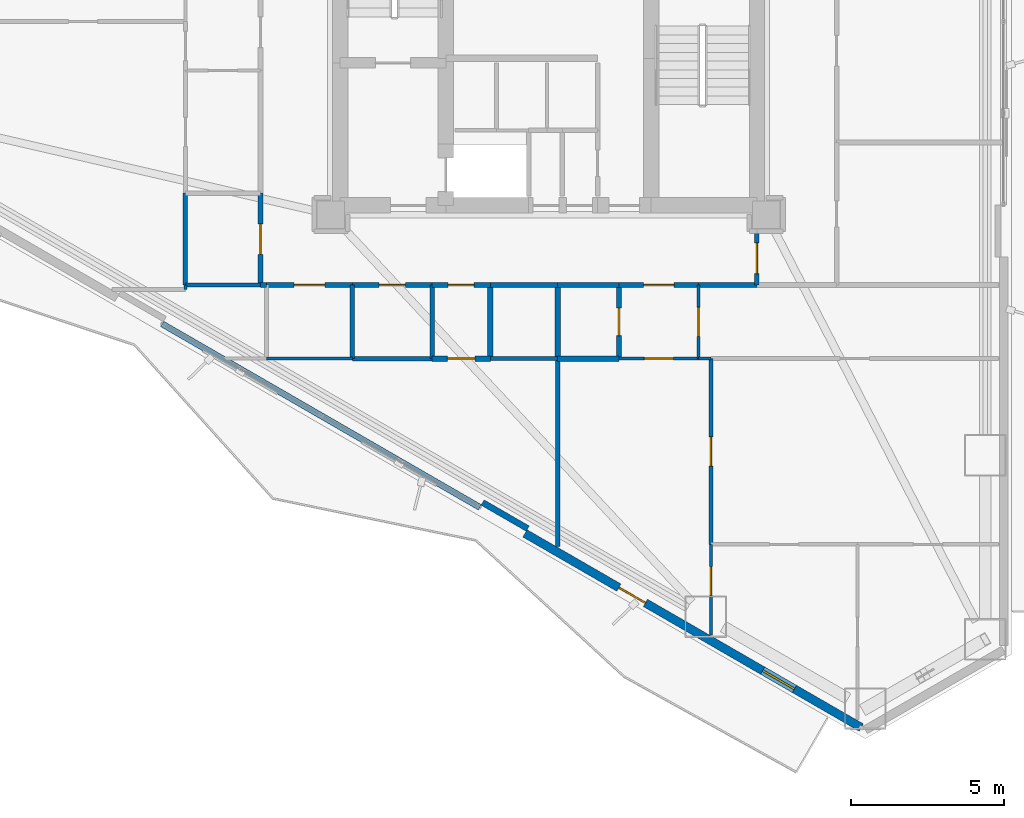
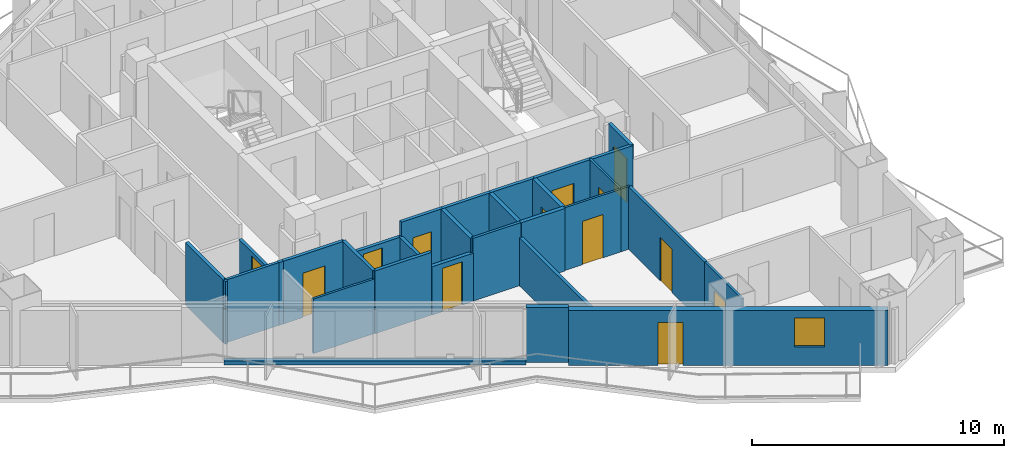
# One storey, part 12 of 19: 32 walls, 13 doors, 1 window, 14 openings.
"""IFC4 building model written with IfcOpenShell, lengths in metres."""

from ifc_helpers import new_model, si_unit, direction, frame, frame_2d, origin, place, context, subcontext, project, spatial, rectangle, extrude, material, layer, layer_set, type_object, element, fill, save


model = new_model("IFC4")

# Units and contexts
model_context = context("Model", 3, precision=1e-05, world=origin(), true_north=direction((0.0, 1.0)))
body_context = subcontext(model_context, "Body", "Model", "MODEL_VIEW")
ifc_project = project(units=[si_unit("LENGTHUNIT", "METRE"), si_unit("AREAUNIT", "SQUARE_METRE"), si_unit("VOLUMEUNIT", "CUBIC_METRE"), si_unit("PLANEANGLEUNIT", "RADIAN"), si_unit("MASSUNIT", "GRAM", prefix="KILO")], contexts=[model_context])

# Site, building, storey
site_placement = place(None, origin())
site = spatial("IfcSite", under=ifc_project, at=site_placement, CompositionType="ELEMENT")
building_placement = place(site_placement, origin())
building = spatial("IfcBuilding", under=site, at=building_placement, Name="Mersakhor Tower and Convention Hall", CompositionType="ELEMENT")
storey_placement = place(building_placement, frame((0.0, 0.0, 42.300048828125)))
storey = spatial("IfcBuildingStorey", under=building, at=storey_placement, Name="L11", CompositionType="ELEMENT", Elevation=42.300048828125)

# Wall, openings, door, window
ifc_material_1 = material(Name="Precast concrete C45/55", Category="concrete")
ifc_layer_1 = layer(ifc_material_1, 0.27490234375)
ifc_layer_set_1 = layer_set([ifc_layer_1], Name="Precast concrete C45/55")
wall_type_1 = type_object("IfcWallType", Name="WL-EXT-275", PredefinedType="SOLIDWALL", material=ifc_layer_set_1)
wall_1_placement = place(storey_placement, frame((39.20703125, 3.709716796875, 0.0), z_axis=(0.0, 0.0, 1.0), x_axis=(-0.86603192154, 0.499988710747, 0.0)))
wall_1 = element("IfcWall", 1, at=wall_1_placement, inside=storey, type_object=wall_type_1, Name="L11 Exterior Facade Wall F3-B1", PredefinedType="SOLIDWALL", context=body_context, shape_type="SweptSolid", body=[
    extrude(rectangle(XDim=12.673095703125, YDim=0.27490234375, at=frame_2d((6.33642578125, 0.0))), origin(), (0.0, 0.0, 1.0), 2.659912109375),
])
opening_1_placement = place(wall_1_placement, frame((8.135986328125, 0.0, 0.0)))
opening_1 = element("IfcOpeningElement", 2, at=opening_1_placement, cuts=wall_1, Name="Opening BD-01", PredefinedType="OPENING", context=body_context, shape_type="SweptSolid", body=[
    extrude(rectangle(XDim=1.0, YDim=2.10009765625, at=frame_2d((0.5, 1.050048828125))), frame((0.0, 0.1474609375, 0.0), z_axis=(0.0, -1.0, 0.0), x_axis=(1.0, 0.0, 0.0)), (0.0, 0.0, 1.0), 0.294921875),
])
opening_2_placement = place(wall_1_placement, frame((2.51806640625, 0.0, 0.89990234375)))
opening_2 = element("IfcOpeningElement", 3, at=opening_2_placement, cuts=wall_1, Name="Opening W-01", PredefinedType="OPENING", context=body_context, shape_type="SweptSolid", body=[
    extrude(rectangle(XDim=1.199951171875, YDim=1.39990234375, at=frame_2d((0.60009765625, 0.699951171875))), frame((0.0, 0.1474609375, 0.0), z_axis=(0.0, -1.0, 0.0), x_axis=(1.0, 0.0, 0.0)), (0.0, 0.0, 1.0), 0.294921875),
])
ifc_material_2 = material(Name="Thermally broken dark aluminium and safety glass", Category="aluminium")
door_type_1 = type_object("IfcDoorType", Name="DR-BAL-100x210", OperationType="NOTDEFINED", PredefinedType="DOOR", material=ifc_material_2)
door_1_placement = place(opening_1_placement, origin())
door_1 = element("IfcDoor", 4, at=door_1_placement, inside=storey, type_object=door_type_1, Name="L11 Balcony Terrace Door F3-B1", OperationType="SINGLE_SWING_LEFT", OverallHeight=2.10009765625, OverallWidth=1.0, PredefinedType="DOOR", context=body_context, shape_type="SweptSolid", body=[
    extrude(rectangle(XDim=1.0, YDim=2.10009765625, at=frame_2d((0.5, 1.050048828125))), frame((0.0, 0.02490234375, 0.0), z_axis=(0.0, -1.0, 0.0), x_axis=(1.0, 0.0, 0.0)), (0.0, 0.0, 1.0), 0.050048828125),
])
fill(opening_1, door_1)
ifc_material_3 = material(Name="Dark solar low-E glazed aluminium window", Category="aluminium")
window_type = type_object("IfcWindowType", Name="WN-RES-120x150", PartitioningType="SINGLE_PANEL", PredefinedType="WINDOW", material=ifc_material_3)
window_placement = place(opening_2_placement, origin())
window = element("IfcWindow", 5, at=window_placement, inside=storey, type_object=window_type, Name="L11 Bedroom Facade Window F3-B1-1", OverallHeight=1.39990234375, OverallWidth=1.199951171875, PartitioningType="SINGLE_PANEL", PredefinedType="WINDOW", context=body_context, shape_type="SweptSolid", body=[
    extrude(rectangle(XDim=1.199951171875, YDim=1.39990234375, at=frame_2d((0.60009765625, 0.699951171875))), frame((0.0, 0.030029296875, 0.0), z_axis=(0.0, -1.0, 0.0), x_axis=(1.0, 0.0, 0.0)), (0.0, 0.0, 1.0), 0.06005859375),
])
fill(opening_2, window)

# Walls
ifc_material_4 = material(Name="Precast concrete C40/50", Category="concrete")
ifc_layer_2 = layer(ifc_material_4, 0.199951171875)
ifc_layer_set_2 = layer_set([ifc_layer_2], Name="Precast concrete C40/50")
wall_type_2 = type_object("IfcWallType", Name="WL-PAR-200", PredefinedType="PARAPET", material=ifc_layer_set_2)
wall_2_placement = place(storey_placement, frame((26.759521484375, 10.896240234375, 0.0), z_axis=(0.0, 0.0, 1.0), x_axis=(-0.866027351828, 0.499996625875, 0.0)))
element("IfcWall", 6, at=wall_2_placement, inside=storey, type_object=wall_type_2, Name="L11 Curtain Wall Upstand Sill F3-B2", PredefinedType="PARAPET", context=body_context, shape_type="SweptSolid", body=[
    extrude(rectangle(XDim=11.97314453125, YDim=0.199951171875, at=frame_2d((5.986572265625, 0.0))), origin(), (0.0, 0.0, 1.0), 0.199951171875),
])
wall_3_placement = place(storey_placement, frame((28.32177734375, 10.2021484375, 0.0), z_axis=(0.0, 0.0, 1.0), x_axis=(-0.86605165483, 0.499954529098, 0.0)))
element("IfcWall", 7, at=wall_3_placement, inside=storey, type_object=wall_type_2, Name="L11 Column Pier Cladding Wall F3-C1", PredefinedType="PARAPET", context=body_context, shape_type="SweptSolid", body=[
    extrude(rectangle(XDim=1.699951171875, YDim=0.199951171875, at=frame_2d((0.85009765625, 0.0))), origin(), (0.0, 0.0, 1.0), 2.659912109375),
])

# Wall, opening, door
ifc_material_5 = material(Name="Moisture-resistant acoustic drywall studwork", Category="other")
ifc_layer_3 = layer(ifc_material_5, 0.175048828125)
ifc_layer_set_3 = layer_set([ifc_layer_3], Name="Moisture-resistant acoustic drywall studwork")
wall_type_3 = type_object("IfcWallType", Name="WL-PLM-175", PredefinedType="PLUMBINGWALL", material=ifc_layer_set_3)
wall_4_placement = place(storey_placement, frame((31.300048828125, 15.75, 0.0), z_axis=(0.0, 0.0, 1.0), x_axis=(0.0, 1.0, 0.0)))
wall_4 = element("IfcWall", 8, at=wall_4_placement, inside=storey, type_object=wall_type_3, Name="L11 Interior Partition Wall P-073", PredefinedType="PLUMBINGWALL", context=body_context, shape_type="SweptSolid", body=[
    extrude(rectangle(XDim=2.39990234375, YDim=0.175048828125, at=frame_2d((1.199951171875, 0.0))), origin(), (0.0, 0.0, 1.0), 3.0400390625),
])
opening_3_placement = place(wall_4_placement, frame((0.75, 0.0, 0.0)))
opening_3 = element("IfcOpeningElement", 9, at=opening_3_placement, cuts=wall_4, Name="Opening WD-01", PredefinedType="OPENING", context=body_context, shape_type="SweptSolid", body=[
    extrude(rectangle(XDim=0.89990234375, YDim=2.10009765625, at=frame_2d((0.449951171875, 1.050048828125))), frame((0.0, 0.097412109375, 0.0), z_axis=(0.0, -1.0, 0.0), x_axis=(1.0, 0.0, 0.0)), (0.0, 0.0, 1.0), 0.195068359375),
])
ifc_material_6 = material(Name="Solid-core hardwood leaf in painted steel frame", Category="steel")
door_type_2 = type_object("IfcDoorType", Name="DR-INT-WET-090x210", OperationType="NOTDEFINED", PredefinedType="DOOR", material=ifc_material_6)
door_2_placement = place(opening_3_placement, origin())
door_2 = element("IfcDoor", 10, at=door_2_placement, inside=storey, type_object=door_type_2, Name="L11 L11 Flat S4 Apartment Hall to L11 Flat S4 Bathroom Door", OperationType="SINGLE_SWING_RIGHT", OverallHeight=2.10009765625, OverallWidth=0.89990234375, PredefinedType="DOOR", context=body_context, shape_type="SweptSolid", body=[
    extrude(rectangle(XDim=0.89990234375, YDim=2.10009765625, at=frame_2d((0.449951171875, 1.050048828125))), frame((0.0, 0.02490234375, 0.0), z_axis=(0.0, -1.0, 0.0), x_axis=(1.0, 0.0, 0.0)), (0.0, 0.0, 1.0), 0.050048828125),
])
fill(opening_3, door_2)

wall_5_placement = place(storey_placement, frame((27.10009765625, 15.75, 0.0), z_axis=(0.0, 0.0, 1.0), x_axis=(-1.0, 0.0, 0.0)))
wall_5 = element("IfcWall", 11, at=wall_5_placement, inside=storey, type_object=wall_type_3, Name="L11 Interior Partition Wall P-087", PredefinedType="PLUMBINGWALL", context=body_context, shape_type="SweptSolid", body=[
    extrude(rectangle(XDim=1.900146484375, YDim=0.175048828125, at=frame_2d((0.9501953125, 0.0))), origin(), (0.0, 0.0, 1.0), 2.33740234375),
])
opening_4_placement = place(wall_5_placement, frame((0.5, 0.0, 0.0)))
opening_4 = element("IfcOpeningElement", 12, at=opening_4_placement, cuts=wall_5, Name="Opening WD-01", PredefinedType="OPENING", context=body_context, shape_type="SweptSolid", body=[
    extrude(rectangle(XDim=0.89990234375, YDim=2.10009765625, at=frame_2d((0.449951171875, 1.050048828125))), frame((0.0, 0.097412109375, 0.0), z_axis=(0.0, -1.0, 0.0), x_axis=(1.0, 0.0, 0.0)), (0.0, 0.0, 1.0), 0.195068359375),
])
door_3_placement = place(opening_4_placement, origin())
door_3 = element("IfcDoor", 13, at=door_3_placement, inside=storey, type_object=door_type_2, Name="L11 L11 Floor Shared Restroom WC 3-2 to L11 Floor Residents Study Room 3-4 Door", OperationType="SINGLE_SWING_LEFT", OverallHeight=2.10009765625, OverallWidth=0.89990234375, PredefinedType="DOOR", context=body_context, shape_type="SweptSolid", body=[
    extrude(rectangle(XDim=0.89990234375, YDim=2.10009765625, at=frame_2d((0.449951171875, 1.050048828125))), frame((0.0, 0.02490234375, 0.0), z_axis=(0.0, -1.0, 0.0), x_axis=(1.0, 0.0, 0.0)), (0.0, 0.0, 1.0), 0.050048828125),
])
fill(opening_4, door_3)

# Walls
wall_6_placement = place(storey_placement, frame((27.10009765625, 18.14990234375, 0.0), z_axis=(0.0, 0.0, 1.0), x_axis=(0.0, -1.0, 0.0)))
element("IfcWall", 14, at=wall_6_placement, inside=storey, type_object=wall_type_3, Name="L11 Interior Partition Wall P-089", PredefinedType="PLUMBINGWALL", context=body_context, shape_type="SweptSolid", body=[
    extrude(rectangle(XDim=2.39990234375, YDim=0.175048828125, at=frame_2d((1.199951171875, 0.0))), origin(), (0.0, 0.0, 1.0), 3.0400390625),
])
wall_7_placement = place(storey_placement, frame((31.300048828125, 15.75, 0.0), z_axis=(0.0, 0.0, 1.0), x_axis=(-1.0, 0.0, 0.0)))
element("IfcWall", 15, at=wall_7_placement, inside=storey, type_object=wall_type_3, Name="L11 Interior Partition Wall P-090", PredefinedType="PLUMBINGWALL", context=body_context, shape_type="SweptSolid", body=[
    extrude(rectangle(XDim=2.0, YDim=0.175048828125, at=frame_2d((1.0, 0.0))), origin(), (0.0, 0.0, 1.0), 3.0400390625),
])
wall_8_placement = place(storey_placement, frame((29.300048828125, 15.75, 0.0), z_axis=(0.0, 0.0, 1.0), x_axis=(0.0, 1.0, 0.0)))
element("IfcWall", 16, at=wall_8_placement, inside=storey, type_object=wall_type_3, Name="L11 Interior Partition Wall P-091", PredefinedType="PLUMBINGWALL", context=body_context, shape_type="SweptSolid", body=[
    extrude(rectangle(XDim=2.39990234375, YDim=0.175048828125, at=frame_2d((1.199951171875, 0.0))), origin(), (0.0, 0.0, 1.0), 3.0400390625),
])

# Wall, opening, door
ifc_material_7 = material(Name="Lightweight gypsum partition", Category="other")
ifc_layer_4 = layer(ifc_material_7, 0.10009765625)
ifc_layer_set_4 = layer_set([ifc_layer_4], Name="Lightweight gypsum partition")
wall_type_4 = type_object("IfcWallType", Name="WL-PRT-100", PredefinedType="PARTITIONING", material=ifc_layer_set_4)
wall_9_placement = place(storey_placement, frame((33.89990234375, 15.75, 0.0), z_axis=(0.0, 0.0, 1.0), x_axis=(-1.0, 0.0, 0.0)))
wall_9 = element("IfcWall", 17, at=wall_9_placement, inside=storey, type_object=wall_type_4, Name="L11 Interior Partition Wall P-072", PredefinedType="PARTITIONING", context=body_context, shape_type="SweptSolid", body=[
    extrude(rectangle(XDim=2.599853515625, YDim=0.10009765625, at=frame_2d((1.2998046875, 0.0))), origin(), (0.0, 0.0, 1.0), 3.0400390625),
])
opening_5_placement = place(wall_9_placement, frame((0.824951171875, 0.0, 0.0)))
opening_5 = element("IfcOpeningElement", 18, at=opening_5_placement, cuts=wall_9, Name="Opening RD-01", PredefinedType="OPENING", context=body_context, shape_type="SweptSolid", body=[
    extrude(rectangle(XDim=0.949951171875, YDim=2.10009765625, at=frame_2d((0.47509765625, 1.050048828125))), frame((0.0, 0.06005859375, 0.0), z_axis=(0.0, -1.0, 0.0), x_axis=(1.0, 0.0, 0.0)), (0.0, 0.0, 1.0), 0.1201171875),
])
ifc_material_8 = material(Name="Solid-core hardwood leaf in painted steel frame", Category="steel")
door_type_3 = type_object("IfcDoorType", Name="DR-INT-RM-095x210", OperationType="NOTDEFINED", PredefinedType="DOOR", material=ifc_material_8)
door_4_placement = place(opening_5_placement, origin())
door_4 = element("IfcDoor", 19, at=door_4_placement, inside=storey, type_object=door_type_3, Name="L11 L11 Flat S4 Apartment Hall to L11 Flat S4 Living and Dining Room Door", OperationType="SINGLE_SWING_RIGHT", OverallHeight=2.10009765625, OverallWidth=0.949951171875, PredefinedType="DOOR", context=body_context, shape_type="SweptSolid", body=[
    extrude(rectangle(XDim=0.949951171875, YDim=2.10009765625, at=frame_2d((0.47509765625, 1.050048828125))), frame((0.0, 0.02490234375, 0.0), z_axis=(0.0, -1.0, 0.0), x_axis=(1.0, 0.0, 0.0)), (0.0, 0.0, 1.0), 0.050048828125),
])
fill(opening_5, door_4)

wall_10_placement = place(storey_placement, frame((33.89990234375, 18.14990234375, 0.0), z_axis=(0.0, 0.0, 1.0), x_axis=(0.0, -1.0, 0.0)))
wall_10 = element("IfcWall", 20, at=wall_10_placement, inside=storey, type_object=wall_type_4, Name="L11 Interior Partition Wall P-074", PredefinedType="PARTITIONING", context=body_context, shape_type="SweptSolid", body=[
    extrude(rectangle(XDim=2.39990234375, YDim=0.10009765625, at=frame_2d((1.199951171875, 0.0))), origin(), (0.0, 0.0, 1.0), 3.0400390625),
])
opening_6_placement = place(wall_10_placement, frame((0.72509765625, 0.0, 0.0)))
opening_6 = element("IfcOpeningElement", 21, at=opening_6_placement, cuts=wall_10, Name="Opening RD-01", PredefinedType="OPENING", context=body_context, shape_type="SweptSolid", body=[
    extrude(rectangle(XDim=0.949951171875, YDim=2.10009765625, at=frame_2d((0.47509765625, 1.050048828125))), frame((0.0, 0.06005859375, 0.0), z_axis=(0.0, -1.0, 0.0), x_axis=(1.0, 0.0, 0.0)), (0.0, 0.0, 1.0), 0.1201171875),
])
door_5_placement = place(opening_6_placement, origin())
door_5 = element("IfcDoor", 22, at=door_5_placement, inside=storey, type_object=door_type_3, Name="L11 L11 Flat S4 Apartment Hall to L11 Flat S4 Kitchen Door", OperationType="SINGLE_SWING_LEFT", OverallHeight=2.10009765625, OverallWidth=0.949951171875, PredefinedType="DOOR", context=body_context, shape_type="SweptSolid", body=[
    extrude(rectangle(XDim=0.949951171875, YDim=2.10009765625, at=frame_2d((0.47509765625, 1.050048828125))), frame((0.0, 0.02490234375, 0.0), z_axis=(0.0, -1.0, 0.0), x_axis=(1.0, 0.0, 0.0)), (0.0, 0.0, 1.0), 0.050048828125),
])
fill(opening_6, door_5)

# Walls
wall_11_placement = place(storey_placement, frame((34.300048828125, 15.75, 0.0), z_axis=(0.0, 0.0, 1.0), x_axis=(-1.0, 0.0, 0.0)))
element("IfcWall", 23, at=wall_11_placement, inside=storey, type_object=wall_type_4, Name="L11 Interior Partition Wall P-094", PredefinedType="PARTITIONING", context=body_context, shape_type="SweptSolid", body=[
    extrude(rectangle(XDim=0.400146484375, YDim=0.10009765625, at=frame_2d((0.2001953125, 0.0))), origin(), (0.0, 0.0, 1.0), 3.0400390625),
])
wall_12_placement = place(storey_placement, frame((22.60009765625, 15.75, 0.0), z_axis=(0.0, 0.0, 1.0), x_axis=(-1.0, 0.0, 0.0)))
element("IfcWall", 24, at=wall_12_placement, inside=storey, type_object=wall_type_4, Name="L11 Interior Partition Wall P-112", PredefinedType="PARTITIONING", context=body_context, shape_type="SweptSolid", body=[
    extrude(rectangle(XDim=2.800048828125, YDim=0.10009765625, at=frame_2d((1.39990234375, 0.0))), origin(), (0.0, 0.0, 1.0), 2.650390625),
])

# Wall, opening, door
wall_13_placement = place(storey_placement, frame((34.300048828125, 9.68994140625, 0.0), z_axis=(0.0, 0.0, 1.0), x_axis=(0.0, -1.0, 0.0)))
wall_13 = element("IfcWall", 25, at=wall_13_placement, inside=storey, type_object=wall_type_4, Name="L11 Interior Partition Wall P-118", PredefinedType="PARTITIONING", context=body_context, shape_type="SweptSolid", body=[
    extrude(rectangle(XDim=2.960693359375, YDim=0.10009765625, at=frame_2d((1.48046875, 0.0))), origin(), (0.0, 0.0, 1.0), 3.0400390625),
])
opening_7_placement = place(wall_13_placement, frame((0.727783203125, 0.0, 0.0)))
opening_7 = element("IfcOpeningElement", 26, at=opening_7_placement, cuts=wall_13, Name="Opening RD-01", PredefinedType="OPENING", context=body_context, shape_type="SweptSolid", body=[
    extrude(rectangle(XDim=0.949951171875, YDim=2.10009765625, at=frame_2d((0.47509765625, 1.050048828125))), frame((0.0, 0.06005859375, 0.0), z_axis=(0.0, -1.0, 0.0), x_axis=(1.0, 0.0, 0.0)), (0.0, 0.0, 1.0), 0.1201171875),
])
door_6_placement = place(opening_7_placement, origin())
door_6 = element("IfcDoor", 27, at=door_6_placement, inside=storey, type_object=door_type_3, Name="L11 L11 Flat S4 Living and Dining Room to L11 Flat S4 Bedroom 1 Door", OperationType="SINGLE_SWING_RIGHT", OverallHeight=2.10009765625, OverallWidth=0.949951171875, PredefinedType="DOOR", context=body_context, shape_type="SweptSolid", body=[
    extrude(rectangle(XDim=0.949951171875, YDim=2.10009765625, at=frame_2d((0.47509765625, 1.050048828125))), frame((0.0, 0.02490234375, 0.0), z_axis=(0.0, -1.0, 0.0), x_axis=(1.0, 0.0, 0.0)), (0.0, 0.0, 1.0), 0.050048828125),
])
fill(opening_7, door_6)

# Walls
wall_14_placement = place(storey_placement, frame((17.14990234375, 18.14990234375, 0.0), z_axis=(0.0, 0.0, 1.0), x_axis=(0.0, -1.0, 0.0)))
element("IfcWall", 28, at=wall_14_placement, inside=storey, type_object=wall_type_4, Name="L11 Interior Partition Wall P-130", PredefinedType="PARTITIONING", context=body_context, shape_type="SweptSolid", body=[
    extrude(rectangle(XDim=0.14990234375, YDim=0.10009765625, at=frame_2d((0.074951171875, 0.0))), origin(), (0.0, 0.0, 1.0), 3.0400390625),
])
ifc_material_9 = material(Name="Gypsum board acoustic partition", Category="other")
ifc_layer_5 = layer(ifc_material_9, 0.125)
ifc_layer_set_5 = layer_set([ifc_layer_5], Name="Gypsum board acoustic partition")
wall_type_5 = type_object("IfcWallType", Name="WL-PRT-125", PredefinedType="PARTITIONING", material=ifc_layer_set_5)
wall_15_placement = place(storey_placement, frame((19.60009765625, 18.14990234375, 0.0), z_axis=(0.0, 0.0, 1.0), x_axis=(-1.0, 0.0, 0.0)))
element("IfcWall", 29, at=wall_15_placement, inside=storey, type_object=wall_type_5, Name="L11 Interior Partition Wall P-105", PredefinedType="PARTITIONING", context=body_context, shape_type="SweptSolid", body=[
    extrude(rectangle(XDim=2.4501953125, YDim=0.125, at=frame_2d((1.22509765625, 0.0))), origin(), (0.0, 0.0, 1.0), 3.0400390625),
])
wall_16_placement = place(storey_placement, frame((27.10009765625, 15.75, 0.0), z_axis=(0.0, 0.0, 1.0), x_axis=(1.0, 0.0, 0.0)))
element("IfcWall", 30, at=wall_16_placement, inside=storey, type_object=wall_type_5, Name="L11 Interior Partition Wall P-115", PredefinedType="PARTITIONING", context=body_context, shape_type="SweptSolid", body=[
    extrude(rectangle(XDim=2.199951171875, YDim=0.125, at=frame_2d((1.10009765625, 0.0))), origin(), (0.0, 0.0, 1.0), 3.0400390625),
])

# Wall, opening, door
wall_17_placement = place(storey_placement, frame((34.300048828125, 15.75, 0.0), z_axis=(0.0, 0.0, 1.0), x_axis=(0.0, -1.0, 0.0)))
wall_17 = element("IfcWall", 31, at=wall_17_placement, inside=storey, type_object=wall_type_5, Name="L11 Interior Partition Wall P-117", PredefinedType="PARTITIONING", context=body_context, shape_type="SweptSolid", body=[
    extrude(rectangle(XDim=6.06005859375, YDim=0.125, at=frame_2d((3.030029296875, 0.0))), origin(), (0.0, 0.0, 1.0), 3.0400390625),
])
opening_8_placement = place(wall_17_placement, frame((2.554931640625, 0.0, 0.0)))
opening_8 = element("IfcOpeningElement", 32, at=opening_8_placement, cuts=wall_17, Name="Opening RD-01", PredefinedType="OPENING", context=body_context, shape_type="SweptSolid", body=[
    extrude(rectangle(XDim=0.949951171875, YDim=2.10009765625, at=frame_2d((0.47509765625, 1.050048828125))), frame((0.0, 0.072509765625, 0.0), z_axis=(0.0, -1.0, 0.0), x_axis=(1.0, 0.0, 0.0)), (0.0, 0.0, 1.0), 0.14501953125),
])
door_7_placement = place(opening_8_placement, origin())
door_7 = element("IfcDoor", 33, at=door_7_placement, inside=storey, type_object=door_type_3, Name="L11 L11 Flat S4 Living and Dining Room to L11 Flat S4 Dining Room Door", OperationType="SINGLE_SWING_LEFT", OverallHeight=2.10009765625, OverallWidth=0.949951171875, PredefinedType="DOOR", context=body_context, shape_type="SweptSolid", body=[
    extrude(rectangle(XDim=0.949951171875, YDim=2.10009765625, at=frame_2d((0.47509765625, 1.050048828125))), frame((0.0, 0.02490234375, 0.0), z_axis=(0.0, -1.0, 0.0), x_axis=(1.0, 0.0, 0.0)), (0.0, 0.0, 1.0), 0.050048828125),
])
fill(opening_8, door_7)

ifc_material_10 = material(Name="Fire-rated gypsum board stud partition", Category="other")
ifc_layer_6 = layer(ifc_material_10, 0.14990234375)
ifc_layer_set_6 = layer_set([ifc_layer_6], Name="Fire-rated gypsum board stud partition")
wall_type_6 = type_object("IfcWallType", Name="WL-PRT-150", PredefinedType="PARTITIONING", material=ifc_layer_set_6)
wall_18_placement = place(storey_placement, frame((35.800048828125, 19.89990234375, 0.0), z_axis=(0.0, 0.0, 1.0), x_axis=(0.0, -1.0, 0.0)))
wall_18 = element("IfcWall", 34, at=wall_18_placement, inside=storey, type_object=wall_type_6, Name="L11 Interior Partition Wall P-023", PredefinedType="PARTITIONING", context=body_context, shape_type="SweptSolid", body=[
    extrude(rectangle(XDim=1.75, YDim=0.14990234375, at=frame_2d((0.875, 0.0))), origin(), (0.0, 0.0, 1.0), 3.0400390625),
])
opening_9_placement = place(wall_18_placement, frame((0.375, 0.0, 0.0)))
opening_9 = element("IfcOpeningElement", 35, at=opening_9_placement, cuts=wall_18, Name="Opening FD-01", PredefinedType="OPENING", context=body_context, shape_type="SweptSolid", body=[
    extrude(rectangle(XDim=1.0, YDim=2.14990234375, at=frame_2d((0.5, 1.074951171875))), frame((0.0, 0.0849609375, 0.0), z_axis=(0.0, -1.0, 0.0), x_axis=(1.0, 0.0, 0.0)), (0.0, 0.0, 1.0), 0.169921875),
])
ifc_material_11 = material(Name="Fire-rated hardwood leaf and painted steel frame", Category="steel")
door_type_4 = type_object("IfcDoorType", Name="DR-INT-FLT-100x215", OperationType="NOTDEFINED", PredefinedType="DOOR", material=ifc_material_11)
door_8_placement = place(opening_9_placement, origin())
door_8 = element("IfcDoor", 36, at=door_8_placement, inside=storey, type_object=door_type_4, Name="L11 Ring Corridor Fire Door", OperationType="SINGLE_SWING_RIGHT", OverallHeight=2.14990234375, OverallWidth=1.0, PredefinedType="DOOR", context=body_context, shape_type="SweptSolid", body=[
    extrude(rectangle(XDim=1.0, YDim=2.14990234375, at=frame_2d((0.5, 1.074951171875))), frame((0.0, 0.02490234375, 0.0), z_axis=(0.0, -1.0, 0.0), x_axis=(1.0, 0.0, 0.0)), (0.0, 0.0, 1.0), 0.050048828125),
])
fill(opening_9, door_8)

# Wall
wall_19_placement = place(storey_placement, frame((35.800048828125, 18.14990234375, 0.0), z_axis=(0.0, 0.0, 1.0), x_axis=(-1.0, 0.0, 0.0)))
element("IfcWall", 37, at=wall_19_placement, inside=storey, type_object=wall_type_6, Name="L11 Interior Partition Wall P-024", PredefinedType="PARTITIONING", context=body_context, shape_type="SweptSolid", body=[
    extrude(rectangle(XDim=1.900146484375, YDim=0.14990234375, at=frame_2d((0.9501953125, 0.0))), origin(), (0.0, 0.0, 1.0), 3.0400390625),
])

# Wall, opening, door
wall_20_placement = place(storey_placement, frame((33.89990234375, 18.14990234375, 0.0), z_axis=(0.0, 0.0, 1.0), x_axis=(-1.0, 0.0, 0.0)))
wall_20 = element("IfcWall", 38, at=wall_20_placement, inside=storey, type_object=wall_type_6, Name="L11 Interior Partition Wall P-025", PredefinedType="PARTITIONING", context=body_context, shape_type="SweptSolid", body=[
    extrude(rectangle(XDim=2.599853515625, YDim=0.14990234375, at=frame_2d((1.2998046875, 0.0))), origin(), (0.0, 0.0, 1.0), 3.0400390625),
])
opening_10_placement = place(wall_20_placement, frame((0.800048828125, 0.0, 0.0)))
opening_10 = element("IfcOpeningElement", 39, at=opening_10_placement, cuts=wall_20, Name="Opening FD-01", PredefinedType="OPENING", context=body_context, shape_type="SweptSolid", body=[
    extrude(rectangle(XDim=1.0, YDim=2.14990234375, at=frame_2d((0.5, 1.074951171875))), frame((0.0, 0.0849609375, 0.0), z_axis=(0.0, -1.0, 0.0), x_axis=(1.0, 0.0, 0.0)), (0.0, 0.0, 1.0), 0.169921875),
])
door_9_placement = place(opening_10_placement, origin())
door_9 = element("IfcDoor", 40, at=door_9_placement, inside=storey, type_object=door_type_4, Name="L11 Apartment Entrance Door (Residential Ring Corridor to L11 Flat S4 Apartment Hall)", OperationType="SINGLE_SWING_RIGHT", OverallHeight=2.14990234375, OverallWidth=1.0, PredefinedType="DOOR", context=body_context, shape_type="SweptSolid", body=[
    extrude(rectangle(XDim=1.0, YDim=2.14990234375, at=frame_2d((0.5, 1.074951171875))), frame((0.0, 0.02490234375, 0.0), z_axis=(0.0, -1.0, 0.0), x_axis=(1.0, 0.0, 0.0)), (0.0, 0.0, 1.0), 0.050048828125),
])
fill(opening_10, door_9)

# Walls
wall_21_placement = place(storey_placement, frame((31.300048828125, 18.14990234375, 0.0), z_axis=(0.0, 0.0, 1.0), x_axis=(-1.0, 0.0, 0.0)))
element("IfcWall", 41, at=wall_21_placement, inside=storey, type_object=wall_type_6, Name="L11 Interior Partition Wall P-026", PredefinedType="PARTITIONING", context=body_context, shape_type="SweptSolid", body=[
    extrude(rectangle(XDim=2.0, YDim=0.14990234375, at=frame_2d((1.0, 0.0))), origin(), (0.0, 0.0, 1.0), 3.0400390625),
])
wall_22_placement = place(storey_placement, frame((29.300048828125, 18.14990234375, 0.0), z_axis=(0.0, 0.0, 1.0), x_axis=(-1.0, 0.0, 0.0)))
element("IfcWall", 42, at=wall_22_placement, inside=storey, type_object=wall_type_6, Name="L11 Interior Partition Wall P-027", PredefinedType="PARTITIONING", context=body_context, shape_type="SweptSolid", body=[
    extrude(rectangle(XDim=2.199951171875, YDim=0.14990234375, at=frame_2d((1.10009765625, 0.0))), origin(), (0.0, 0.0, 1.0), 3.0400390625),
])

# Wall, opening, door
wall_23_placement = place(storey_placement, frame((27.10009765625, 18.14990234375, 0.0), z_axis=(0.0, 0.0, 1.0), x_axis=(-1.0, 0.0, 0.0)))
wall_23 = element("IfcWall", 43, at=wall_23_placement, inside=storey, type_object=wall_type_6, Name="L11 Interior Partition Wall P-028", PredefinedType="PARTITIONING", context=body_context, shape_type="SweptSolid", body=[
    extrude(rectangle(XDim=1.900146484375, YDim=0.14990234375, at=frame_2d((0.9501953125, 0.0))), origin(), (0.0, 0.0, 1.0), 3.0400390625),
])
opening_11_placement = place(wall_23_placement, frame((0.52490234375, 0.0, 0.0)))
opening_11 = element("IfcOpeningElement", 44, at=opening_11_placement, cuts=wall_23, Name="Opening SVD-01", PredefinedType="OPENING", context=body_context, shape_type="SweptSolid", body=[
    extrude(rectangle(XDim=0.85009765625, YDim=2.10009765625, at=frame_2d((0.425048828125, 1.050048828125))), frame((0.0, 0.0849609375, 0.0), z_axis=(0.0, -1.0, 0.0), x_axis=(1.0, 0.0, 0.0)), (0.0, 0.0, 1.0), 0.169921875),
])
ifc_material_12 = material(Name="Fire-rated hardwood leaf and painted steel frame", Category="steel")
door_type_5 = type_object("IfcDoorType", Name="DR-INT-SVC-085x210", OperationType="NOTDEFINED", PredefinedType="DOOR", material=ifc_material_12)
door_10_placement = place(opening_11_placement, origin())
door_10 = element("IfcDoor", 45, at=door_10_placement, inside=storey, type_object=door_type_5, Name="L11 Residential Ring Corridor to L11 Floor Shared Restroom WC 3-2 Door", OperationType="SINGLE_SWING_RIGHT", OverallHeight=2.10009765625, OverallWidth=0.85009765625, PredefinedType="DOOR", context=body_context, shape_type="SweptSolid", body=[
    extrude(rectangle(XDim=0.85009765625, YDim=2.10009765625, at=frame_2d((0.425048828125, 1.050048828125))), frame((0.0, 0.02490234375, 0.0), z_axis=(0.0, -1.0, 0.0), x_axis=(1.0, 0.0, 0.0)), (0.0, 0.0, 1.0), 0.050048828125),
])
fill(opening_11, door_10)

wall_24_placement = place(storey_placement, frame((25.199951171875, 18.14990234375, 0.0), z_axis=(0.0, 0.0, 1.0), x_axis=(-1.0, 0.0, 0.0)))
wall_24 = element("IfcWall", 46, at=wall_24_placement, inside=storey, type_object=wall_type_6, Name="L11 Interior Partition Wall P-029", PredefinedType="PARTITIONING", context=body_context, shape_type="SweptSolid", body=[
    extrude(rectangle(XDim=2.599853515625, YDim=0.14990234375, at=frame_2d((1.2998046875, 0.0))), origin(), (0.0, 0.0, 1.0), 2.33740234375),
])
opening_12_placement = place(wall_24_placement, frame((0.875, 0.0, 0.0)))
opening_12 = element("IfcOpeningElement", 47, at=opening_12_placement, cuts=wall_24, Name="Opening SVD-01", PredefinedType="OPENING", context=body_context, shape_type="SweptSolid", body=[
    extrude(rectangle(XDim=0.85009765625, YDim=2.10009765625, at=frame_2d((0.425048828125, 1.050048828125))), frame((0.0, 0.0849609375, 0.0), z_axis=(0.0, -1.0, 0.0), x_axis=(1.0, 0.0, 0.0)), (0.0, 0.0, 1.0), 0.169921875),
])
door_11_placement = place(opening_12_placement, origin())
door_11 = element("IfcDoor", 48, at=door_11_placement, inside=storey, type_object=door_type_5, Name="L11 Residential Ring Corridor to L11 Floor Household Store Room 3-1 Door", OperationType="SINGLE_SWING_RIGHT", OverallHeight=2.10009765625, OverallWidth=0.85009765625, PredefinedType="DOOR", context=body_context, shape_type="SweptSolid", body=[
    extrude(rectangle(XDim=0.85009765625, YDim=2.10009765625, at=frame_2d((0.425048828125, 1.050048828125))), frame((0.0, 0.02490234375, 0.0), z_axis=(0.0, -1.0, 0.0), x_axis=(1.0, 0.0, 0.0)), (0.0, 0.0, 1.0), 0.050048828125),
])
fill(opening_12, door_11)

wall_25_placement = place(storey_placement, frame((22.60009765625, 18.14990234375, 0.0), z_axis=(0.0, 0.0, 1.0), x_axis=(-1.0, 0.0, 0.0)))
wall_25 = element("IfcWall", 49, at=wall_25_placement, inside=storey, type_object=wall_type_6, Name="L11 Interior Partition Wall P-030", PredefinedType="PARTITIONING", context=body_context, shape_type="SweptSolid", body=[
    extrude(rectangle(XDim=2.800048828125, YDim=0.14990234375, at=frame_2d((1.39990234375, 0.0))), origin(), (0.0, 0.0, 1.0), 3.0400390625),
])
opening_13_placement = place(wall_25_placement, frame((0.89990234375, 0.0, 0.0)))
opening_13 = element("IfcOpeningElement", 50, at=opening_13_placement, cuts=wall_25, Name="Opening FD-01", PredefinedType="OPENING", context=body_context, shape_type="SweptSolid", body=[
    extrude(rectangle(XDim=1.0, YDim=2.14990234375, at=frame_2d((0.5, 1.074951171875))), frame((0.0, 0.0849609375, 0.0), z_axis=(0.0, -1.0, 0.0), x_axis=(1.0, 0.0, 0.0)), (0.0, 0.0, 1.0), 0.169921875),
])
door_12_placement = place(opening_13_placement, origin())
door_12 = element("IfcDoor", 51, at=door_12_placement, inside=storey, type_object=door_type_4, Name="L11 Residential Ring Corridor to L11 Floor Shared Tea Pantry 3-3 Door", OperationType="SINGLE_SWING_LEFT", OverallHeight=2.14990234375, OverallWidth=1.0, PredefinedType="DOOR", context=body_context, shape_type="SweptSolid", body=[
    extrude(rectangle(XDim=1.0, YDim=2.14990234375, at=frame_2d((0.5, 1.074951171875))), frame((0.0, 0.02490234375, 0.0), z_axis=(0.0, -1.0, 0.0), x_axis=(1.0, 0.0, 0.0)), (0.0, 0.0, 1.0), 0.050048828125),
])
fill(opening_13, door_12)

# Wall
wall_26_placement = place(storey_placement, frame((19.800048828125, 18.14990234375, 0.0), z_axis=(0.0, 0.0, 1.0), x_axis=(-1.0, 0.0, 0.0)))
element("IfcWall", 52, at=wall_26_placement, inside=storey, type_object=wall_type_6, Name="L11 Interior Partition Wall P-031", PredefinedType="PARTITIONING", context=body_context, shape_type="SweptSolid", body=[
    extrude(rectangle(XDim=0.199951171875, YDim=0.14990234375, at=frame_2d((0.10009765625, 0.0))), origin(), (0.0, 0.0, 1.0), 3.0400390625),
])

# Wall, opening, door
wall_27_placement = place(storey_placement, frame((19.60009765625, 18.14990234375, 0.0), z_axis=(0.0, 0.0, 1.0), x_axis=(0.0, 1.0, 0.0)))
wall_27 = element("IfcWall", 53, at=wall_27_placement, inside=storey, type_object=wall_type_6, Name="L11 Interior Partition Wall P-032", PredefinedType="PARTITIONING", context=body_context, shape_type="SweptSolid", body=[
    extrude(rectangle(XDim=3.0, YDim=0.14990234375, at=frame_2d((1.5, 0.0))), origin(), (0.0, 0.0, 1.0), 2.33740234375),
])
opening_14_placement = place(wall_27_placement, frame((1.0, 0.0, 0.0)))
opening_14 = element("IfcOpeningElement", 54, at=opening_14_placement, cuts=wall_27, Name="Opening FD-01", PredefinedType="OPENING", context=body_context, shape_type="SweptSolid", body=[
    extrude(rectangle(XDim=1.0, YDim=2.14990234375, at=frame_2d((0.5, 1.074951171875))), frame((0.0, 0.0849609375, 0.0), z_axis=(0.0, -1.0, 0.0), x_axis=(1.0, 0.0, 0.0)), (0.0, 0.0, 1.0), 0.169921875),
])
door_13_placement = place(opening_14_placement, origin())
door_13 = element("IfcDoor", 55, at=door_13_placement, inside=storey, type_object=door_type_4, Name="L11 Residential Ring Corridor to L11 West Wing Shared Laundry Room Door", OperationType="SINGLE_SWING_LEFT", OverallHeight=2.14990234375, OverallWidth=1.0, PredefinedType="DOOR", context=body_context, shape_type="SweptSolid", body=[
    extrude(rectangle(XDim=1.0, YDim=2.14990234375, at=frame_2d((0.5, 1.074951171875))), frame((0.0, 0.02490234375, 0.0), z_axis=(0.0, -1.0, 0.0), x_axis=(1.0, 0.0, 0.0)), (0.0, 0.0, 1.0), 0.050048828125),
])
fill(opening_14, door_13)

# Walls
wall_28_placement = place(storey_placement, frame((25.199951171875, 15.75, 0.0), z_axis=(0.0, 0.0, 1.0), x_axis=(0.0, 1.0, 0.0)))
element("IfcWall", 56, at=wall_28_placement, inside=storey, type_object=wall_type_6, Name="L11 Interior Partition Wall P-088", PredefinedType="PARTITIONING", context=body_context, shape_type="SweptSolid", body=[
    extrude(rectangle(XDim=2.39990234375, YDim=0.14990234375, at=frame_2d((1.199951171875, 0.0))), origin(), (0.0, 0.0, 1.0), 2.33740234375),
])
wall_29_placement = place(storey_placement, frame((17.14990234375, 18.14990234375, 0.0), z_axis=(0.0, 0.0, 1.0), x_axis=(0.0, 1.0, 0.0)))
element("IfcWall", 57, at=wall_29_placement, inside=storey, type_object=wall_type_6, Name="L11 Interior Partition Wall P-104", PredefinedType="PARTITIONING", context=body_context, shape_type="SweptSolid", body=[
    extrude(rectangle(XDim=3.0, YDim=0.14990234375, at=frame_2d((1.5, 0.0))), origin(), (0.0, 0.0, 1.0), 3.0400390625),
])
wall_30_placement = place(storey_placement, frame((25.199951171875, 15.75, 0.0), z_axis=(0.0, 0.0, 1.0), x_axis=(-1.0, 0.0, 0.0)))
element("IfcWall", 58, at=wall_30_placement, inside=storey, type_object=wall_type_6, Name="L11 Interior Partition Wall P-110", PredefinedType="PARTITIONING", context=body_context, shape_type="SweptSolid", body=[
    extrude(rectangle(XDim=2.599853515625, YDim=0.14990234375, at=frame_2d((1.2998046875, 0.0))), origin(), (0.0, 0.0, 1.0), 3.0400390625),
])
wall_31_placement = place(storey_placement, frame((22.60009765625, 15.75, 0.0), z_axis=(0.0, 0.0, 1.0), x_axis=(0.0, 1.0, 0.0)))
element("IfcWall", 59, at=wall_31_placement, inside=storey, type_object=wall_type_6, Name="L11 Interior Partition Wall P-111", PredefinedType="PARTITIONING", context=body_context, shape_type="SweptSolid", body=[
    extrude(rectangle(XDim=2.39990234375, YDim=0.14990234375, at=frame_2d((1.199951171875, 0.0))), origin(), (0.0, 0.0, 1.0), 3.0400390625),
])
wall_32_placement = place(storey_placement, frame((29.300048828125, 15.75, 0.0), z_axis=(0.0, 0.0, 1.0), x_axis=(0.0, -1.0, 0.0)))
element("IfcWall", 60, at=wall_32_placement, inside=storey, type_object=wall_type_6, Name="L11 Interior Partition Wall P-116", PredefinedType="PARTITIONING", context=body_context, shape_type="SweptSolid", body=[
    extrude(rectangle(XDim=6.134033203125, YDim=0.14990234375, at=frame_2d((3.06689453125, 0.0))), origin(), (0.0, 0.0, 1.0), 2.33740234375),
])

save(model, "model.ifc")
